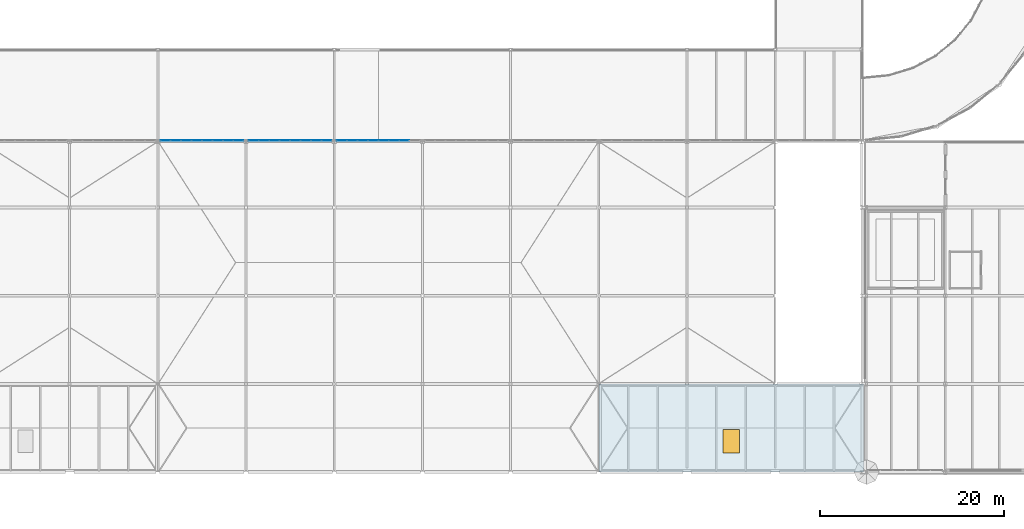
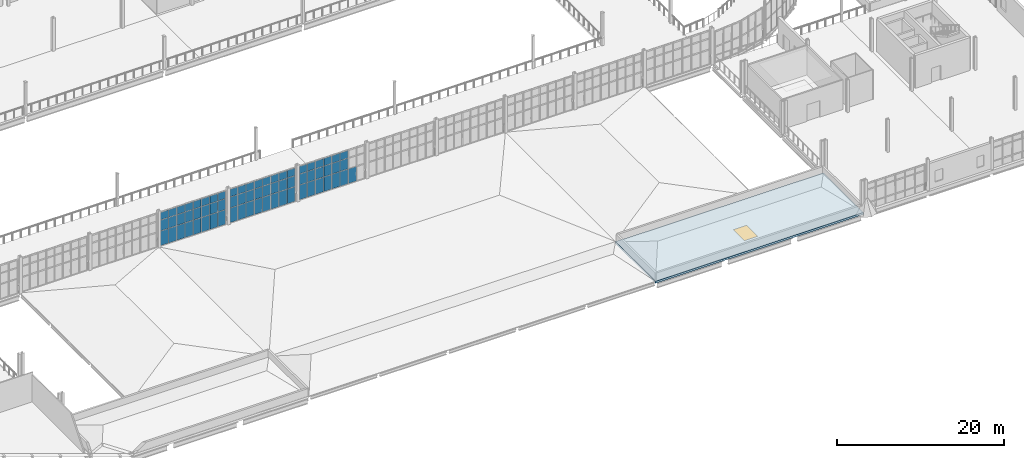
# One storey, part 76 of 112: 67 plates, 1 slab, 1 window, 1 opening, 3 elements without a shape of their own.
"""IFC4 building model written with IfcOpenShell, lengths in metres."""

from ifc_helpers import new_model, si_unit, direction, frame, origin, origin_2d, place, context, subcontext, project, spatial, polyline, rectangle, outline, extrude, material, layer, layer_set, type_object, element, fill, aggregate, save


model = new_model("IFC4")

# Units and contexts
model_context = context("Model", 3, precision=1e-05, world=origin(), true_north=direction((0.0, 1.0)))
body_context = subcontext(model_context, "Body", "Model", "MODEL_VIEW")
ifc_project = project(units=[si_unit("LENGTHUNIT", "METRE"), si_unit("AREAUNIT", "SQUARE_METRE"), si_unit("VOLUMEUNIT", "CUBIC_METRE"), si_unit("PLANEANGLEUNIT", "RADIAN"), si_unit("MASSUNIT", "GRAM", prefix="KILO")], contexts=[model_context])

# Site, building, storey
site_placement = place(None, origin())
site = spatial("IfcSite", under=ifc_project, at=site_placement, CompositionType="ELEMENT")
building_placement = place(site_placement, origin())
building = spatial("IfcBuilding", under=site, at=building_placement, Name="Yeouljin Market Hall", CompositionType="ELEMENT")
storey_placement = place(building_placement, frame((0.0, 0.0, 6.0)))
storey = spatial("IfcBuildingStorey", under=building, at=storey_placement, Name="L01", CompositionType="ELEMENT", Elevation=6.0)

# Curtain wall, plates
ifc_material_1 = material(Name="Thermally Broken Aluminium", Category="aluminium")
ifc_layer_1 = layer(ifc_material_1, 0.159912109375)
ifc_layer_set_1 = layer_set([ifc_layer_1], Name="Thermally Broken Aluminium")
curtain_wall_type = type_object("IfcCurtainWallType", Name="CW_HallClerestory_System", PredefinedType="USERDEFINED", material=ifc_layer_set_1)
curtain_wall_1_placement = place(storey_placement, origin())
curtain_wall_1 = element("IfcCurtainWall", 1, at=curtain_wall_1_placement, inside=storey, type_object=curtain_wall_type, Name="Curtain wall CW-V1S-L01-04", ObjectType="CURTAIN WALL", PredefinedType="USERDEFINED")
ifc_material_2 = material(Name="Low-E Insulated Glass", Category="glass")
ifc_layer_2 = layer(ifc_material_2, 0.028076171875)
ifc_layer_set_2 = layer_set([ifc_layer_2], Name="Low-E Insulated Glass")
plate_type = type_object("IfcPlateType", Name="CWPanel_LowE_28", PredefinedType="CURTAIN_PANEL", material=ifc_layer_set_2)
plate_1_placement = place(storey_placement, frame((72.96923828125, 36.10009765625, 0.048095703125), z_axis=(0.0, 0.0, 1.0), x_axis=(-1.0, 0.0, 0.0)))
plate_1 = element("IfcPlate", 2, at=plate_1_placement, type_object=plate_type, Name="CW-02 panel 1.1", PredefinedType="CURTAIN_PANEL", context=body_context, shape_type="SweptSolid", body=[
    extrude(rectangle(XDim=1.0654296875, YDim=0.028076171875, at=origin_2d()), origin(), (0.0, 0.0, 1.0), 2.1279296875),
])
plate_2_placement = place(storey_placement, frame((72.96923828125, 36.10009765625, 2.22412109375), z_axis=(0.0, 0.0, 1.0), x_axis=(-1.0, 0.0, 0.0)))
plate_2 = element("IfcPlate", 3, at=plate_2_placement, type_object=plate_type, Name="CW-02 panel 1.2", PredefinedType="CURTAIN_PANEL", context=body_context, shape_type="SweptSolid", body=[
    extrude(rectangle(XDim=1.0654296875, YDim=0.028076171875, at=origin_2d()), origin(), (0.0, 0.0, 1.0), 1.552001953125),
])
plate_3_placement = place(storey_placement, frame((72.96923828125, 36.10009765625, 3.82421875), z_axis=(0.0, 0.0, 1.0), x_axis=(-1.0, 0.0, 0.0)))
plate_3 = element("IfcPlate", 4, at=plate_3_placement, type_object=plate_type, Name="CW-02 panel 1.3", PredefinedType="CURTAIN_PANEL", context=body_context, shape_type="SweptSolid", body=[
    extrude(rectangle(XDim=1.0654296875, YDim=0.028076171875, at=origin_2d()), origin(), (0.0, 0.0, 1.0), 1.097900390625),
])
plate_4_placement = place(storey_placement, frame((71.84375, 36.10009765625, 0.048095703125), z_axis=(0.0, 0.0, 1.0), x_axis=(-1.0, 0.0, 0.0)))
plate_4 = element("IfcPlate", 5, at=plate_4_placement, type_object=plate_type, Name="CW-02 panel 2.1", PredefinedType="CURTAIN_PANEL", context=body_context, shape_type="SweptSolid", body=[
    extrude(rectangle(XDim=1.089599609375, YDim=0.028076171875, at=origin_2d()), origin(), (0.0, 0.0, 1.0), 2.1279296875),
])
plate_5_placement = place(storey_placement, frame((71.84375, 36.10009765625, 2.22412109375), z_axis=(0.0, 0.0, 1.0), x_axis=(-1.0, 0.0, 0.0)))
plate_5 = element("IfcPlate", 6, at=plate_5_placement, type_object=plate_type, Name="CW-02 panel 2.2", PredefinedType="CURTAIN_PANEL", context=body_context, shape_type="SweptSolid", body=[
    extrude(rectangle(XDim=1.089599609375, YDim=0.028076171875, at=origin_2d()), origin(), (0.0, 0.0, 1.0), 1.552001953125),
])
plate_6_placement = place(storey_placement, frame((71.84375, 36.10009765625, 3.82421875), z_axis=(0.0, 0.0, 1.0), x_axis=(-1.0, 0.0, 0.0)))
plate_6 = element("IfcPlate", 7, at=plate_6_placement, type_object=plate_type, Name="CW-02 panel 2.3", PredefinedType="CURTAIN_PANEL", context=body_context, shape_type="SweptSolid", body=[
    extrude(rectangle(XDim=1.089599609375, YDim=0.028076171875, at=origin_2d()), origin(), (0.0, 0.0, 1.0), 1.097900390625),
])
plate_7_placement = place(storey_placement, frame((70.706298828125, 36.10009765625, 0.048095703125), z_axis=(0.0, 0.0, 1.0), x_axis=(-1.0, 0.0, 0.0)))
plate_7 = element("IfcPlate", 8, at=plate_7_placement, type_object=plate_type, Name="CW-02 panel 3.1", PredefinedType="CURTAIN_PANEL", context=body_context, shape_type="SweptSolid", body=[
    extrude(rectangle(XDim=1.089599609375, YDim=0.028076171875, at=origin_2d()), origin(), (0.0, 0.0, 1.0), 2.1279296875),
])
plate_8_placement = place(storey_placement, frame((70.706298828125, 36.10009765625, 2.22412109375), z_axis=(0.0, 0.0, 1.0), x_axis=(-1.0, 0.0, 0.0)))
plate_8 = element("IfcPlate", 9, at=plate_8_placement, type_object=plate_type, Name="CW-02 panel 3.2", PredefinedType="CURTAIN_PANEL", context=body_context, shape_type="SweptSolid", body=[
    extrude(rectangle(XDim=1.089599609375, YDim=0.028076171875, at=origin_2d()), origin(), (0.0, 0.0, 1.0), 1.552001953125),
])
plate_9_placement = place(storey_placement, frame((70.706298828125, 36.10009765625, 3.82421875), z_axis=(0.0, 0.0, 1.0), x_axis=(-1.0, 0.0, 0.0)))
plate_9 = element("IfcPlate", 10, at=plate_9_placement, type_object=plate_type, Name="CW-02 panel 3.3", PredefinedType="CURTAIN_PANEL", context=body_context, shape_type="SweptSolid", body=[
    extrude(rectangle(XDim=1.089599609375, YDim=0.028076171875, at=origin_2d()), origin(), (0.0, 0.0, 1.0), 1.097900390625),
])
plate_10_placement = place(storey_placement, frame((69.56884765625, 36.10009765625, 0.048095703125), z_axis=(0.0, 0.0, 1.0), x_axis=(-1.0, 0.0, 0.0)))
plate_10 = element("IfcPlate", 11, at=plate_10_placement, type_object=plate_type, Name="CW-02 panel 4.1", PredefinedType="CURTAIN_PANEL", context=body_context, shape_type="SweptSolid", body=[
    extrude(rectangle(XDim=1.089599609375, YDim=0.028076171875, at=origin_2d()), origin(), (0.0, 0.0, 1.0), 2.1279296875),
])
plate_11_placement = place(storey_placement, frame((69.56884765625, 36.10009765625, 2.22412109375), z_axis=(0.0, 0.0, 1.0), x_axis=(-1.0, 0.0, 0.0)))
plate_11 = element("IfcPlate", 12, at=plate_11_placement, type_object=plate_type, Name="CW-02 panel 4.2", PredefinedType="CURTAIN_PANEL", context=body_context, shape_type="SweptSolid", body=[
    extrude(rectangle(XDim=1.089599609375, YDim=0.028076171875, at=origin_2d()), origin(), (0.0, 0.0, 1.0), 1.552001953125),
])
plate_12_placement = place(storey_placement, frame((69.56884765625, 36.10009765625, 3.82421875), z_axis=(0.0, 0.0, 1.0), x_axis=(-1.0, 0.0, 0.0)))
plate_12 = element("IfcPlate", 13, at=plate_12_placement, type_object=plate_type, Name="CW-02 panel 4.3", PredefinedType="CURTAIN_PANEL", context=body_context, shape_type="SweptSolid", body=[
    extrude(rectangle(XDim=1.089599609375, YDim=0.028076171875, at=origin_2d()), origin(), (0.0, 0.0, 1.0), 1.097900390625),
])
plate_13_placement = place(storey_placement, frame((68.43115234375, 36.10009765625, 0.048095703125), z_axis=(0.0, 0.0, 1.0), x_axis=(-1.0, 0.0, 0.0)))
plate_13 = element("IfcPlate", 14, at=plate_13_placement, type_object=plate_type, Name="CW-02 panel 5.1", PredefinedType="CURTAIN_PANEL", context=body_context, shape_type="SweptSolid", body=[
    extrude(rectangle(XDim=1.089599609375, YDim=0.028076171875, at=origin_2d()), origin(), (0.0, 0.0, 1.0), 2.1279296875),
])
plate_14_placement = place(storey_placement, frame((68.43115234375, 36.10009765625, 2.22412109375), z_axis=(0.0, 0.0, 1.0), x_axis=(-1.0, 0.0, 0.0)))
plate_14 = element("IfcPlate", 15, at=plate_14_placement, type_object=plate_type, Name="CW-02 panel 5.2", PredefinedType="CURTAIN_PANEL", context=body_context, shape_type="SweptSolid", body=[
    extrude(rectangle(XDim=1.089599609375, YDim=0.028076171875, at=origin_2d()), origin(), (0.0, 0.0, 1.0), 1.552001953125),
])
plate_15_placement = place(storey_placement, frame((68.43115234375, 36.10009765625, 3.82421875), z_axis=(0.0, 0.0, 1.0), x_axis=(-1.0, 0.0, 0.0)))
plate_15 = element("IfcPlate", 16, at=plate_15_placement, type_object=plate_type, Name="CW-02 panel 5.3", PredefinedType="CURTAIN_PANEL", context=body_context, shape_type="SweptSolid", body=[
    extrude(rectangle(XDim=1.089599609375, YDim=0.028076171875, at=origin_2d()), origin(), (0.0, 0.0, 1.0), 1.097900390625),
])
plate_16_placement = place(storey_placement, frame((67.293701171875, 36.10009765625, 0.048095703125), z_axis=(0.0, 0.0, 1.0), x_axis=(-1.0, 0.0, 0.0)))
plate_16 = element("IfcPlate", 17, at=plate_16_placement, type_object=plate_type, Name="CW-02 panel 6.1", PredefinedType="CURTAIN_PANEL", context=body_context, shape_type="SweptSolid", body=[
    extrude(rectangle(XDim=1.089599609375, YDim=0.028076171875, at=origin_2d()), origin(), (0.0, 0.0, 1.0), 2.1279296875),
])
plate_17_placement = place(storey_placement, frame((67.293701171875, 36.10009765625, 2.22412109375), z_axis=(0.0, 0.0, 1.0), x_axis=(-1.0, 0.0, 0.0)))
plate_17 = element("IfcPlate", 18, at=plate_17_placement, type_object=plate_type, Name="CW-02 panel 6.2", PredefinedType="CURTAIN_PANEL", context=body_context, shape_type="SweptSolid", body=[
    extrude(rectangle(XDim=1.089599609375, YDim=0.028076171875, at=origin_2d()), origin(), (0.0, 0.0, 1.0), 1.552001953125),
])
plate_18_placement = place(storey_placement, frame((67.293701171875, 36.10009765625, 3.82421875), z_axis=(0.0, 0.0, 1.0), x_axis=(-1.0, 0.0, 0.0)))
plate_18 = element("IfcPlate", 19, at=plate_18_placement, type_object=plate_type, Name="CW-02 panel 6.3", PredefinedType="CURTAIN_PANEL", context=body_context, shape_type="SweptSolid", body=[
    extrude(rectangle(XDim=1.089599609375, YDim=0.028076171875, at=origin_2d()), origin(), (0.0, 0.0, 1.0), 1.097900390625),
])
plate_19_placement = place(storey_placement, frame((66.15625, 36.10009765625, 0.048095703125), z_axis=(0.0, 0.0, 1.0), x_axis=(-1.0, 0.0, 0.0)))
plate_19 = element("IfcPlate", 20, at=plate_19_placement, type_object=plate_type, Name="CW-02 panel 7.1", PredefinedType="CURTAIN_PANEL", context=body_context, shape_type="SweptSolid", body=[
    extrude(rectangle(XDim=1.089599609375, YDim=0.028076171875, at=origin_2d()), origin(), (0.0, 0.0, 1.0), 2.1279296875),
])
plate_20_placement = place(storey_placement, frame((66.15625, 36.10009765625, 2.22412109375), z_axis=(0.0, 0.0, 1.0), x_axis=(-1.0, 0.0, 0.0)))
plate_20 = element("IfcPlate", 21, at=plate_20_placement, type_object=plate_type, Name="CW-02 panel 7.2", PredefinedType="CURTAIN_PANEL", context=body_context, shape_type="SweptSolid", body=[
    extrude(rectangle(XDim=1.089599609375, YDim=0.028076171875, at=origin_2d()), origin(), (0.0, 0.0, 1.0), 1.552001953125),
])
plate_21_placement = place(storey_placement, frame((66.15625, 36.10009765625, 3.82421875), z_axis=(0.0, 0.0, 1.0), x_axis=(-1.0, 0.0, 0.0)))
plate_21 = element("IfcPlate", 22, at=plate_21_placement, type_object=plate_type, Name="CW-02 panel 7.3", PredefinedType="CURTAIN_PANEL", context=body_context, shape_type="SweptSolid", body=[
    extrude(rectangle(XDim=1.089599609375, YDim=0.028076171875, at=origin_2d()), origin(), (0.0, 0.0, 1.0), 1.097900390625),
])
plate_22_placement = place(storey_placement, frame((65.03076171875, 36.10009765625, 0.048095703125), z_axis=(0.0, 0.0, 1.0), x_axis=(-1.0, 0.0, 0.0)))
plate_22 = element("IfcPlate", 23, at=plate_22_placement, type_object=plate_type, Name="CW-02 panel 8.1", PredefinedType="CURTAIN_PANEL", context=body_context, shape_type="SweptSolid", body=[
    extrude(rectangle(XDim=1.0654296875, YDim=0.028076171875, at=origin_2d()), origin(), (0.0, 0.0, 1.0), 2.1279296875),
])
plate_23_placement = place(storey_placement, frame((65.03076171875, 36.10009765625, 2.22412109375), z_axis=(0.0, 0.0, 1.0), x_axis=(-1.0, 0.0, 0.0)))
plate_23 = element("IfcPlate", 24, at=plate_23_placement, type_object=plate_type, Name="CW-02 panel 8.2", PredefinedType="CURTAIN_PANEL", context=body_context, shape_type="SweptSolid", body=[
    extrude(rectangle(XDim=1.0654296875, YDim=0.028076171875, at=origin_2d()), origin(), (0.0, 0.0, 1.0), 1.552001953125),
])
plate_24_placement = place(storey_placement, frame((65.03076171875, 36.10009765625, 3.82421875), z_axis=(0.0, 0.0, 1.0), x_axis=(-1.0, 0.0, 0.0)))
plate_24 = element("IfcPlate", 25, at=plate_24_placement, type_object=plate_type, Name="CW-02 panel 8.3", PredefinedType="CURTAIN_PANEL", context=body_context, shape_type="SweptSolid", body=[
    extrude(rectangle(XDim=1.0654296875, YDim=0.028076171875, at=origin_2d()), origin(), (0.0, 0.0, 1.0), 1.097900390625),
])
aggregate(curtain_wall_1, [plate_1, plate_2, plate_3, plate_4, plate_5, plate_6, plate_7, plate_8, plate_9, plate_10, plate_11, plate_12, plate_13, plate_14, plate_15, plate_16, plate_17, plate_18, plate_19, plate_20, plate_21, plate_22, plate_23, plate_24])

curtain_wall_2_placement = place(storey_placement, origin())
curtain_wall_2 = element("IfcCurtainWall", 26, at=curtain_wall_2_placement, inside=storey, type_object=curtain_wall_type, Name="Curtain wall CW-V1S-L01-05", ObjectType="CURTAIN WALL", PredefinedType="USERDEFINED")
plate_25_placement = place(storey_placement, frame((82.5693359375, 36.10009765625, 0.048095703125), z_axis=(0.0, 0.0, 1.0), x_axis=(-1.0, 0.0, 0.0)))
plate_25 = element("IfcPlate", 27, at=plate_25_placement, type_object=plate_type, Name="CW-02 panel 1.1", PredefinedType="CURTAIN_PANEL", context=body_context, shape_type="SweptSolid", body=[
    extrude(rectangle(XDim=1.0654296875, YDim=0.028076171875, at=origin_2d()), origin(), (0.0, 0.0, 1.0), 2.1279296875),
])
plate_26_placement = place(storey_placement, frame((82.5693359375, 36.10009765625, 2.22412109375), z_axis=(0.0, 0.0, 1.0), x_axis=(-1.0, 0.0, 0.0)))
plate_26 = element("IfcPlate", 28, at=plate_26_placement, type_object=plate_type, Name="CW-02 panel 1.2", PredefinedType="CURTAIN_PANEL", context=body_context, shape_type="SweptSolid", body=[
    extrude(rectangle(XDim=1.0654296875, YDim=0.028076171875, at=origin_2d()), origin(), (0.0, 0.0, 1.0), 1.552001953125),
])
plate_27_placement = place(storey_placement, frame((82.5693359375, 36.10009765625, 3.82421875), z_axis=(0.0, 0.0, 1.0), x_axis=(-1.0, 0.0, 0.0)))
plate_27 = element("IfcPlate", 29, at=plate_27_placement, type_object=plate_type, Name="CW-02 panel 1.3", PredefinedType="CURTAIN_PANEL", context=body_context, shape_type="SweptSolid", body=[
    extrude(rectangle(XDim=1.0654296875, YDim=0.028076171875, at=origin_2d()), origin(), (0.0, 0.0, 1.0), 1.097900390625),
])
plate_28_placement = place(storey_placement, frame((81.44384765625, 36.10009765625, 0.048095703125), z_axis=(0.0, 0.0, 1.0), x_axis=(-1.0, 0.0, 0.0)))
plate_28 = element("IfcPlate", 30, at=plate_28_placement, type_object=plate_type, Name="CW-02 panel 2.1", PredefinedType="CURTAIN_PANEL", context=body_context, shape_type="SweptSolid", body=[
    extrude(rectangle(XDim=1.089599609375, YDim=0.028076171875, at=origin_2d()), origin(), (0.0, 0.0, 1.0), 2.1279296875),
])
plate_29_placement = place(storey_placement, frame((81.44384765625, 36.10009765625, 2.22412109375), z_axis=(0.0, 0.0, 1.0), x_axis=(-1.0, 0.0, 0.0)))
plate_29 = element("IfcPlate", 31, at=plate_29_placement, type_object=plate_type, Name="CW-02 panel 2.2", PredefinedType="CURTAIN_PANEL", context=body_context, shape_type="SweptSolid", body=[
    extrude(rectangle(XDim=1.089599609375, YDim=0.028076171875, at=origin_2d()), origin(), (0.0, 0.0, 1.0), 1.552001953125),
])
plate_30_placement = place(storey_placement, frame((81.44384765625, 36.10009765625, 3.82421875), z_axis=(0.0, 0.0, 1.0), x_axis=(-1.0, 0.0, 0.0)))
plate_30 = element("IfcPlate", 32, at=plate_30_placement, type_object=plate_type, Name="CW-02 panel 2.3", PredefinedType="CURTAIN_PANEL", context=body_context, shape_type="SweptSolid", body=[
    extrude(rectangle(XDim=1.089599609375, YDim=0.028076171875, at=origin_2d()), origin(), (0.0, 0.0, 1.0), 1.097900390625),
])
plate_31_placement = place(storey_placement, frame((80.30615234375, 36.10009765625, 0.048095703125), z_axis=(0.0, 0.0, 1.0), x_axis=(-1.0, 0.0, 0.0)))
plate_31 = element("IfcPlate", 33, at=plate_31_placement, type_object=plate_type, Name="CW-02 panel 3.1", PredefinedType="CURTAIN_PANEL", context=body_context, shape_type="SweptSolid", body=[
    extrude(rectangle(XDim=1.089599609375, YDim=0.028076171875, at=origin_2d()), origin(), (0.0, 0.0, 1.0), 2.1279296875),
])
plate_32_placement = place(storey_placement, frame((80.30615234375, 36.10009765625, 2.22412109375), z_axis=(0.0, 0.0, 1.0), x_axis=(-1.0, 0.0, 0.0)))
plate_32 = element("IfcPlate", 34, at=plate_32_placement, type_object=plate_type, Name="CW-02 panel 3.2", PredefinedType="CURTAIN_PANEL", context=body_context, shape_type="SweptSolid", body=[
    extrude(rectangle(XDim=1.089599609375, YDim=0.028076171875, at=origin_2d()), origin(), (0.0, 0.0, 1.0), 1.552001953125),
])
plate_33_placement = place(storey_placement, frame((80.30615234375, 36.10009765625, 3.82421875), z_axis=(0.0, 0.0, 1.0), x_axis=(-1.0, 0.0, 0.0)))
plate_33 = element("IfcPlate", 35, at=plate_33_placement, type_object=plate_type, Name="CW-02 panel 3.3", PredefinedType="CURTAIN_PANEL", context=body_context, shape_type="SweptSolid", body=[
    extrude(rectangle(XDim=1.089599609375, YDim=0.028076171875, at=origin_2d()), origin(), (0.0, 0.0, 1.0), 1.097900390625),
])
plate_34_placement = place(storey_placement, frame((79.168701171875, 36.10009765625, 0.048095703125), z_axis=(0.0, 0.0, 1.0), x_axis=(-1.0, 0.0, 0.0)))
plate_34 = element("IfcPlate", 36, at=plate_34_placement, type_object=plate_type, Name="CW-02 panel 4.1", PredefinedType="CURTAIN_PANEL", context=body_context, shape_type="SweptSolid", body=[
    extrude(rectangle(XDim=1.089599609375, YDim=0.028076171875, at=origin_2d()), origin(), (0.0, 0.0, 1.0), 2.1279296875),
])
plate_35_placement = place(storey_placement, frame((79.168701171875, 36.10009765625, 2.22412109375), z_axis=(0.0, 0.0, 1.0), x_axis=(-1.0, 0.0, 0.0)))
plate_35 = element("IfcPlate", 37, at=plate_35_placement, type_object=plate_type, Name="CW-02 panel 4.2", PredefinedType="CURTAIN_PANEL", context=body_context, shape_type="SweptSolid", body=[
    extrude(rectangle(XDim=1.089599609375, YDim=0.028076171875, at=origin_2d()), origin(), (0.0, 0.0, 1.0), 1.552001953125),
])
plate_36_placement = place(storey_placement, frame((79.168701171875, 36.10009765625, 3.82421875), z_axis=(0.0, 0.0, 1.0), x_axis=(-1.0, 0.0, 0.0)))
plate_36 = element("IfcPlate", 38, at=plate_36_placement, type_object=plate_type, Name="CW-02 panel 4.3", PredefinedType="CURTAIN_PANEL", context=body_context, shape_type="SweptSolid", body=[
    extrude(rectangle(XDim=1.089599609375, YDim=0.028076171875, at=origin_2d()), origin(), (0.0, 0.0, 1.0), 1.097900390625),
])
plate_37_placement = place(storey_placement, frame((78.03125, 36.10009765625, 0.048095703125), z_axis=(0.0, 0.0, 1.0), x_axis=(-1.0, 0.0, 0.0)))
plate_37 = element("IfcPlate", 39, at=plate_37_placement, type_object=plate_type, Name="CW-02 panel 5.1", PredefinedType="CURTAIN_PANEL", context=body_context, shape_type="SweptSolid", body=[
    extrude(rectangle(XDim=1.089599609375, YDim=0.028076171875, at=origin_2d()), origin(), (0.0, 0.0, 1.0), 2.1279296875),
])
plate_38_placement = place(storey_placement, frame((78.03125, 36.10009765625, 2.22412109375), z_axis=(0.0, 0.0, 1.0), x_axis=(-1.0, 0.0, 0.0)))
plate_38 = element("IfcPlate", 40, at=plate_38_placement, type_object=plate_type, Name="CW-02 panel 5.2", PredefinedType="CURTAIN_PANEL", context=body_context, shape_type="SweptSolid", body=[
    extrude(rectangle(XDim=1.089599609375, YDim=0.028076171875, at=origin_2d()), origin(), (0.0, 0.0, 1.0), 1.552001953125),
])
plate_39_placement = place(storey_placement, frame((78.03125, 36.10009765625, 3.82421875), z_axis=(0.0, 0.0, 1.0), x_axis=(-1.0, 0.0, 0.0)))
plate_39 = element("IfcPlate", 41, at=plate_39_placement, type_object=plate_type, Name="CW-02 panel 5.3", PredefinedType="CURTAIN_PANEL", context=body_context, shape_type="SweptSolid", body=[
    extrude(rectangle(XDim=1.089599609375, YDim=0.028076171875, at=origin_2d()), origin(), (0.0, 0.0, 1.0), 1.097900390625),
])
plate_40_placement = place(storey_placement, frame((76.893798828125, 36.10009765625, 0.048095703125), z_axis=(0.0, 0.0, 1.0), x_axis=(-1.0, 0.0, 0.0)))
plate_40 = element("IfcPlate", 42, at=plate_40_placement, type_object=plate_type, Name="CW-02 panel 6.1", PredefinedType="CURTAIN_PANEL", context=body_context, shape_type="SweptSolid", body=[
    extrude(rectangle(XDim=1.089599609375, YDim=0.028076171875, at=origin_2d()), origin(), (0.0, 0.0, 1.0), 2.1279296875),
])
plate_41_placement = place(storey_placement, frame((76.893798828125, 36.10009765625, 2.22412109375), z_axis=(0.0, 0.0, 1.0), x_axis=(-1.0, 0.0, 0.0)))
plate_41 = element("IfcPlate", 43, at=plate_41_placement, type_object=plate_type, Name="CW-02 panel 6.2", PredefinedType="CURTAIN_PANEL", context=body_context, shape_type="SweptSolid", body=[
    extrude(rectangle(XDim=1.089599609375, YDim=0.028076171875, at=origin_2d()), origin(), (0.0, 0.0, 1.0), 1.552001953125),
])
plate_42_placement = place(storey_placement, frame((76.893798828125, 36.10009765625, 3.82421875), z_axis=(0.0, 0.0, 1.0), x_axis=(-1.0, 0.0, 0.0)))
plate_42 = element("IfcPlate", 44, at=plate_42_placement, type_object=plate_type, Name="CW-02 panel 6.3", PredefinedType="CURTAIN_PANEL", context=body_context, shape_type="SweptSolid", body=[
    extrude(rectangle(XDim=1.089599609375, YDim=0.028076171875, at=origin_2d()), origin(), (0.0, 0.0, 1.0), 1.097900390625),
])
plate_43_placement = place(storey_placement, frame((75.75634765625, 36.10009765625, 0.048095703125), z_axis=(0.0, 0.0, 1.0), x_axis=(-1.0, 0.0, 0.0)))
plate_43 = element("IfcPlate", 45, at=plate_43_placement, type_object=plate_type, Name="CW-02 panel 7.1", PredefinedType="CURTAIN_PANEL", context=body_context, shape_type="SweptSolid", body=[
    extrude(rectangle(XDim=1.089599609375, YDim=0.028076171875, at=origin_2d()), origin(), (0.0, 0.0, 1.0), 2.1279296875),
])
plate_44_placement = place(storey_placement, frame((75.75634765625, 36.10009765625, 2.22412109375), z_axis=(0.0, 0.0, 1.0), x_axis=(-1.0, 0.0, 0.0)))
plate_44 = element("IfcPlate", 46, at=plate_44_placement, type_object=plate_type, Name="CW-02 panel 7.2", PredefinedType="CURTAIN_PANEL", context=body_context, shape_type="SweptSolid", body=[
    extrude(rectangle(XDim=1.089599609375, YDim=0.028076171875, at=origin_2d()), origin(), (0.0, 0.0, 1.0), 1.552001953125),
])
plate_45_placement = place(storey_placement, frame((75.75634765625, 36.10009765625, 3.82421875), z_axis=(0.0, 0.0, 1.0), x_axis=(-1.0, 0.0, 0.0)))
plate_45 = element("IfcPlate", 47, at=plate_45_placement, type_object=plate_type, Name="CW-02 panel 7.3", PredefinedType="CURTAIN_PANEL", context=body_context, shape_type="SweptSolid", body=[
    extrude(rectangle(XDim=1.089599609375, YDim=0.028076171875, at=origin_2d()), origin(), (0.0, 0.0, 1.0), 1.097900390625),
])
plate_46_placement = place(storey_placement, frame((74.630859375, 36.10009765625, 0.048095703125), z_axis=(0.0, 0.0, 1.0), x_axis=(-1.0, 0.0, 0.0)))
plate_46 = element("IfcPlate", 48, at=plate_46_placement, type_object=plate_type, Name="CW-02 panel 8.1", PredefinedType="CURTAIN_PANEL", context=body_context, shape_type="SweptSolid", body=[
    extrude(rectangle(XDim=1.0654296875, YDim=0.028076171875, at=origin_2d()), origin(), (0.0, 0.0, 1.0), 2.1279296875),
])
plate_47_placement = place(storey_placement, frame((74.630859375, 36.10009765625, 2.22412109375), z_axis=(0.0, 0.0, 1.0), x_axis=(-1.0, 0.0, 0.0)))
plate_47 = element("IfcPlate", 49, at=plate_47_placement, type_object=plate_type, Name="CW-02 panel 8.2", PredefinedType="CURTAIN_PANEL", context=body_context, shape_type="SweptSolid", body=[
    extrude(rectangle(XDim=1.0654296875, YDim=0.028076171875, at=origin_2d()), origin(), (0.0, 0.0, 1.0), 1.552001953125),
])
plate_48_placement = place(storey_placement, frame((74.630859375, 36.10009765625, 3.82421875), z_axis=(0.0, 0.0, 1.0), x_axis=(-1.0, 0.0, 0.0)))
plate_48 = element("IfcPlate", 50, at=plate_48_placement, type_object=plate_type, Name="CW-02 panel 8.3", PredefinedType="CURTAIN_PANEL", context=body_context, shape_type="SweptSolid", body=[
    extrude(rectangle(XDim=1.0654296875, YDim=0.028076171875, at=origin_2d()), origin(), (0.0, 0.0, 1.0), 1.097900390625),
])
aggregate(curtain_wall_2, [plate_25, plate_26, plate_27, plate_28, plate_29, plate_30, plate_31, plate_32, plate_33, plate_34, plate_35, plate_36, plate_37, plate_38, plate_39, plate_40, plate_41, plate_42, plate_43, plate_44, plate_45, plate_46, plate_47, plate_48])

curtain_wall_3_placement = place(storey_placement, origin())
curtain_wall_3 = element("IfcCurtainWall", 51, at=curtain_wall_3_placement, inside=storey, type_object=curtain_wall_type, Name="Curtain wall CW-V1S-L01-06", ObjectType="CURTAIN WALL", PredefinedType="USERDEFINED")
plate_49_placement = place(storey_placement, frame((91.043701171875, 36.10009765625, 0.048095703125), z_axis=(0.0, 0.0, 1.0), x_axis=(-1.0, 0.0, 0.0)))
plate_49 = element("IfcPlate", 52, at=plate_49_placement, type_object=plate_type, Name="CW-02 panel 2.1", PredefinedType="CURTAIN_PANEL", context=body_context, shape_type="SweptSolid", body=[
    extrude(rectangle(XDim=1.089599609375, YDim=0.028076171875, at=origin_2d()), origin(), (0.0, 0.0, 1.0), 2.1279296875),
])
plate_50_placement = place(storey_placement, frame((89.90625, 36.10009765625, 0.048095703125), z_axis=(0.0, 0.0, 1.0), x_axis=(-1.0, 0.0, 0.0)))
plate_50 = element("IfcPlate", 53, at=plate_50_placement, type_object=plate_type, Name="CW-02 panel 3.1", PredefinedType="CURTAIN_PANEL", context=body_context, shape_type="SweptSolid", body=[
    extrude(rectangle(XDim=1.089599609375, YDim=0.028076171875, at=origin_2d()), origin(), (0.0, 0.0, 1.0), 2.1279296875),
])
plate_51_placement = place(storey_placement, frame((89.90625, 36.10009765625, 2.22412109375), z_axis=(0.0, 0.0, 1.0), x_axis=(-1.0, 0.0, 0.0)))
plate_51 = element("IfcPlate", 54, at=plate_51_placement, type_object=plate_type, Name="CW-02 panel 3.2", PredefinedType="CURTAIN_PANEL", context=body_context, shape_type="SweptSolid", body=[
    extrude(rectangle(XDim=1.089599609375, YDim=0.028076171875, at=origin_2d()), origin(), (0.0, 0.0, 1.0), 1.552001953125),
])
plate_52_placement = place(storey_placement, frame((89.90625, 36.10009765625, 3.82421875), z_axis=(0.0, 0.0, 1.0), x_axis=(-1.0, 0.0, 0.0)))
plate_52 = element("IfcPlate", 55, at=plate_52_placement, type_object=plate_type, Name="CW-02 panel 3.3", PredefinedType="CURTAIN_PANEL", context=body_context, shape_type="SweptSolid", body=[
    extrude(rectangle(XDim=1.089599609375, YDim=0.028076171875, at=origin_2d()), origin(), (0.0, 0.0, 1.0), 1.097900390625),
])
plate_53_placement = place(storey_placement, frame((88.768798828125, 36.10009765625, 0.048095703125), z_axis=(0.0, 0.0, 1.0), x_axis=(-1.0, 0.0, 0.0)))
plate_53 = element("IfcPlate", 56, at=plate_53_placement, type_object=plate_type, Name="CW-02 panel 4.1", PredefinedType="CURTAIN_PANEL", context=body_context, shape_type="SweptSolid", body=[
    extrude(rectangle(XDim=1.089599609375, YDim=0.028076171875, at=origin_2d()), origin(), (0.0, 0.0, 1.0), 2.1279296875),
])
plate_54_placement = place(storey_placement, frame((88.768798828125, 36.10009765625, 2.22412109375), z_axis=(0.0, 0.0, 1.0), x_axis=(-1.0, 0.0, 0.0)))
plate_54 = element("IfcPlate", 57, at=plate_54_placement, type_object=plate_type, Name="CW-02 panel 4.2", PredefinedType="CURTAIN_PANEL", context=body_context, shape_type="SweptSolid", body=[
    extrude(rectangle(XDim=1.089599609375, YDim=0.028076171875, at=origin_2d()), origin(), (0.0, 0.0, 1.0), 1.552001953125),
])
plate_55_placement = place(storey_placement, frame((88.768798828125, 36.10009765625, 3.82421875), z_axis=(0.0, 0.0, 1.0), x_axis=(-1.0, 0.0, 0.0)))
plate_55 = element("IfcPlate", 58, at=plate_55_placement, type_object=plate_type, Name="CW-02 panel 4.3", PredefinedType="CURTAIN_PANEL", context=body_context, shape_type="SweptSolid", body=[
    extrude(rectangle(XDim=1.089599609375, YDim=0.028076171875, at=origin_2d()), origin(), (0.0, 0.0, 1.0), 1.097900390625),
])
plate_56_placement = place(storey_placement, frame((87.63134765625, 36.10009765625, 0.048095703125), z_axis=(0.0, 0.0, 1.0), x_axis=(-1.0, 0.0, 0.0)))
plate_56 = element("IfcPlate", 59, at=plate_56_placement, type_object=plate_type, Name="CW-02 panel 5.1", PredefinedType="CURTAIN_PANEL", context=body_context, shape_type="SweptSolid", body=[
    extrude(rectangle(XDim=1.089599609375, YDim=0.028076171875, at=origin_2d()), origin(), (0.0, 0.0, 1.0), 2.1279296875),
])
plate_57_placement = place(storey_placement, frame((87.63134765625, 36.10009765625, 2.22412109375), z_axis=(0.0, 0.0, 1.0), x_axis=(-1.0, 0.0, 0.0)))
plate_57 = element("IfcPlate", 60, at=plate_57_placement, type_object=plate_type, Name="CW-02 panel 5.2", PredefinedType="CURTAIN_PANEL", context=body_context, shape_type="SweptSolid", body=[
    extrude(rectangle(XDim=1.089599609375, YDim=0.028076171875, at=origin_2d()), origin(), (0.0, 0.0, 1.0), 1.552001953125),
])
plate_58_placement = place(storey_placement, frame((87.63134765625, 36.10009765625, 3.82421875), z_axis=(0.0, 0.0, 1.0), x_axis=(-1.0, 0.0, 0.0)))
plate_58 = element("IfcPlate", 61, at=plate_58_placement, type_object=plate_type, Name="CW-02 panel 5.3", PredefinedType="CURTAIN_PANEL", context=body_context, shape_type="SweptSolid", body=[
    extrude(rectangle(XDim=1.089599609375, YDim=0.028076171875, at=origin_2d()), origin(), (0.0, 0.0, 1.0), 1.097900390625),
])
plate_59_placement = place(storey_placement, frame((86.49365234375, 36.10009765625, 0.048095703125), z_axis=(0.0, 0.0, 1.0), x_axis=(-1.0, 0.0, 0.0)))
plate_59 = element("IfcPlate", 62, at=plate_59_placement, type_object=plate_type, Name="CW-02 panel 6.1", PredefinedType="CURTAIN_PANEL", context=body_context, shape_type="SweptSolid", body=[
    extrude(rectangle(XDim=1.089599609375, YDim=0.028076171875, at=origin_2d()), origin(), (0.0, 0.0, 1.0), 2.1279296875),
])
plate_60_placement = place(storey_placement, frame((86.49365234375, 36.10009765625, 2.22412109375), z_axis=(0.0, 0.0, 1.0), x_axis=(-1.0, 0.0, 0.0)))
plate_60 = element("IfcPlate", 63, at=plate_60_placement, type_object=plate_type, Name="CW-02 panel 6.2", PredefinedType="CURTAIN_PANEL", context=body_context, shape_type="SweptSolid", body=[
    extrude(rectangle(XDim=1.089599609375, YDim=0.028076171875, at=origin_2d()), origin(), (0.0, 0.0, 1.0), 1.552001953125),
])
plate_61_placement = place(storey_placement, frame((86.49365234375, 36.10009765625, 3.82421875), z_axis=(0.0, 0.0, 1.0), x_axis=(-1.0, 0.0, 0.0)))
plate_61 = element("IfcPlate", 64, at=plate_61_placement, type_object=plate_type, Name="CW-02 panel 6.3", PredefinedType="CURTAIN_PANEL", context=body_context, shape_type="SweptSolid", body=[
    extrude(rectangle(XDim=1.089599609375, YDim=0.028076171875, at=origin_2d()), origin(), (0.0, 0.0, 1.0), 1.097900390625),
])
plate_62_placement = place(storey_placement, frame((85.356201171875, 36.10009765625, 0.048095703125), z_axis=(0.0, 0.0, 1.0), x_axis=(-1.0, 0.0, 0.0)))
plate_62 = element("IfcPlate", 65, at=plate_62_placement, type_object=plate_type, Name="CW-02 panel 7.1", PredefinedType="CURTAIN_PANEL", context=body_context, shape_type="SweptSolid", body=[
    extrude(rectangle(XDim=1.089599609375, YDim=0.028076171875, at=origin_2d()), origin(), (0.0, 0.0, 1.0), 2.1279296875),
])
plate_63_placement = place(storey_placement, frame((85.356201171875, 36.10009765625, 2.22412109375), z_axis=(0.0, 0.0, 1.0), x_axis=(-1.0, 0.0, 0.0)))
plate_63 = element("IfcPlate", 66, at=plate_63_placement, type_object=plate_type, Name="CW-02 panel 7.2", PredefinedType="CURTAIN_PANEL", context=body_context, shape_type="SweptSolid", body=[
    extrude(rectangle(XDim=1.089599609375, YDim=0.028076171875, at=origin_2d()), origin(), (0.0, 0.0, 1.0), 1.552001953125),
])
plate_64_placement = place(storey_placement, frame((85.356201171875, 36.10009765625, 3.82421875), z_axis=(0.0, 0.0, 1.0), x_axis=(-1.0, 0.0, 0.0)))
plate_64 = element("IfcPlate", 67, at=plate_64_placement, type_object=plate_type, Name="CW-02 panel 7.3", PredefinedType="CURTAIN_PANEL", context=body_context, shape_type="SweptSolid", body=[
    extrude(rectangle(XDim=1.089599609375, YDim=0.028076171875, at=origin_2d()), origin(), (0.0, 0.0, 1.0), 1.097900390625),
])
plate_65_placement = place(storey_placement, frame((84.230712890625, 36.10009765625, 0.048095703125), z_axis=(0.0, 0.0, 1.0), x_axis=(-1.0, 0.0, 0.0)))
plate_65 = element("IfcPlate", 68, at=plate_65_placement, type_object=plate_type, Name="CW-02 panel 8.1", PredefinedType="CURTAIN_PANEL", context=body_context, shape_type="SweptSolid", body=[
    extrude(rectangle(XDim=1.0654296875, YDim=0.028076171875, at=origin_2d()), origin(), (0.0, 0.0, 1.0), 2.1279296875),
])
plate_66_placement = place(storey_placement, frame((84.230712890625, 36.10009765625, 2.22412109375), z_axis=(0.0, 0.0, 1.0), x_axis=(-1.0, 0.0, 0.0)))
plate_66 = element("IfcPlate", 69, at=plate_66_placement, type_object=plate_type, Name="CW-02 panel 8.2", PredefinedType="CURTAIN_PANEL", context=body_context, shape_type="SweptSolid", body=[
    extrude(rectangle(XDim=1.0654296875, YDim=0.028076171875, at=origin_2d()), origin(), (0.0, 0.0, 1.0), 1.552001953125),
])
plate_67_placement = place(storey_placement, frame((84.230712890625, 36.10009765625, 3.82421875), z_axis=(0.0, 0.0, 1.0), x_axis=(-1.0, 0.0, 0.0)))
plate_67 = element("IfcPlate", 70, at=plate_67_placement, type_object=plate_type, Name="CW-02 panel 8.3", PredefinedType="CURTAIN_PANEL", context=body_context, shape_type="SweptSolid", body=[
    extrude(rectangle(XDim=1.0654296875, YDim=0.028076171875, at=origin_2d()), origin(), (0.0, 0.0, 1.0), 1.097900390625),
])
aggregate(curtain_wall_3, [plate_49, plate_50, plate_51, plate_52, plate_53, plate_54, plate_55, plate_56, plate_57, plate_58, plate_59, plate_60, plate_61, plate_62, plate_63, plate_64, plate_65, plate_66, plate_67])

# Slab, opening, window
ifc_material_3 = material(Name="Concrete C30/37", Category="concrete")
ifc_layer_3 = layer(ifc_material_3, 0.2900390625)
ifc_layer_set_3 = layer_set([ifc_layer_3], Name="Concrete C30/37")
slab_type = type_object("IfcSlabType", Name="SLB_ROOF_225", PredefinedType="ROOF", material=ifc_layer_set_3)
slab_placement = place(storey_placement, frame((0.0, 0.0, -0.280029296875)))
slab = element("IfcSlab", 71, at=slab_placement, inside=storey, type_object=slab_type, Name="Wing structural roof slab RSLB-V5-E", PredefinedType="ROOF", context=body_context, shape_type="SweptSolid", body=[
    extrude(outline(polyline([(112.199951171875, 0.0), (141.0, 0.0), (141.0, 9.60009765625), (112.199951171875, 9.60009765625), (112.199951171875, 0.0)])), origin(), (0.0, 0.0, 1.0), 0.2900390625),
])
opening_placement = place(slab_placement, frame((126.60009765625, 3.360107421875, 0.0)))
opening = element("IfcOpeningElement", 72, at=opening_placement, cuts=slab, Name="Opening SK-02", PredefinedType="OPENING", context=body_context, shape_type="SweptSolid", body=[
    extrude(rectangle(XDim=1.800048828125, YDim=2.60009765625, at=origin_2d()), origin(), (0.0, 0.0, 1.0), 0.2900390625),
])
ifc_material_4 = material(Name="Low-E Insulated Glass", Category="glass")
window_type = type_object("IfcWindowType", Name="Skylight_1800x2600", PartitioningType="SINGLE_PANEL", PredefinedType="SKYLIGHT", material=ifc_material_4)
window_placement = place(opening_placement, frame((0.0, 0.0, 0.239990234375)))
window = element("IfcWindow", 73, at=window_placement, inside=storey, type_object=window_type, Name="Roof skylight 02", OverallHeight=2.60009765625, OverallWidth=1.800048828125, PartitioningType="SINGLE_PANEL", PredefinedType="SKYLIGHT", context=body_context, shape_type="SweptSolid", body=[
    extrude(rectangle(XDim=1.800048828125, YDim=2.60009765625, at=origin_2d()), origin(), (0.0, 0.0, 1.0), 0.050048828125),
])
fill(opening, window)

save(model, "model.ifc")
